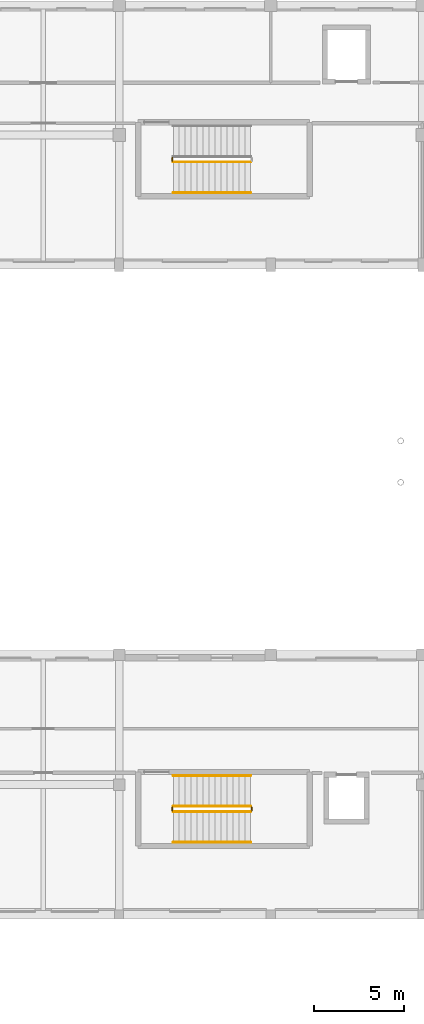
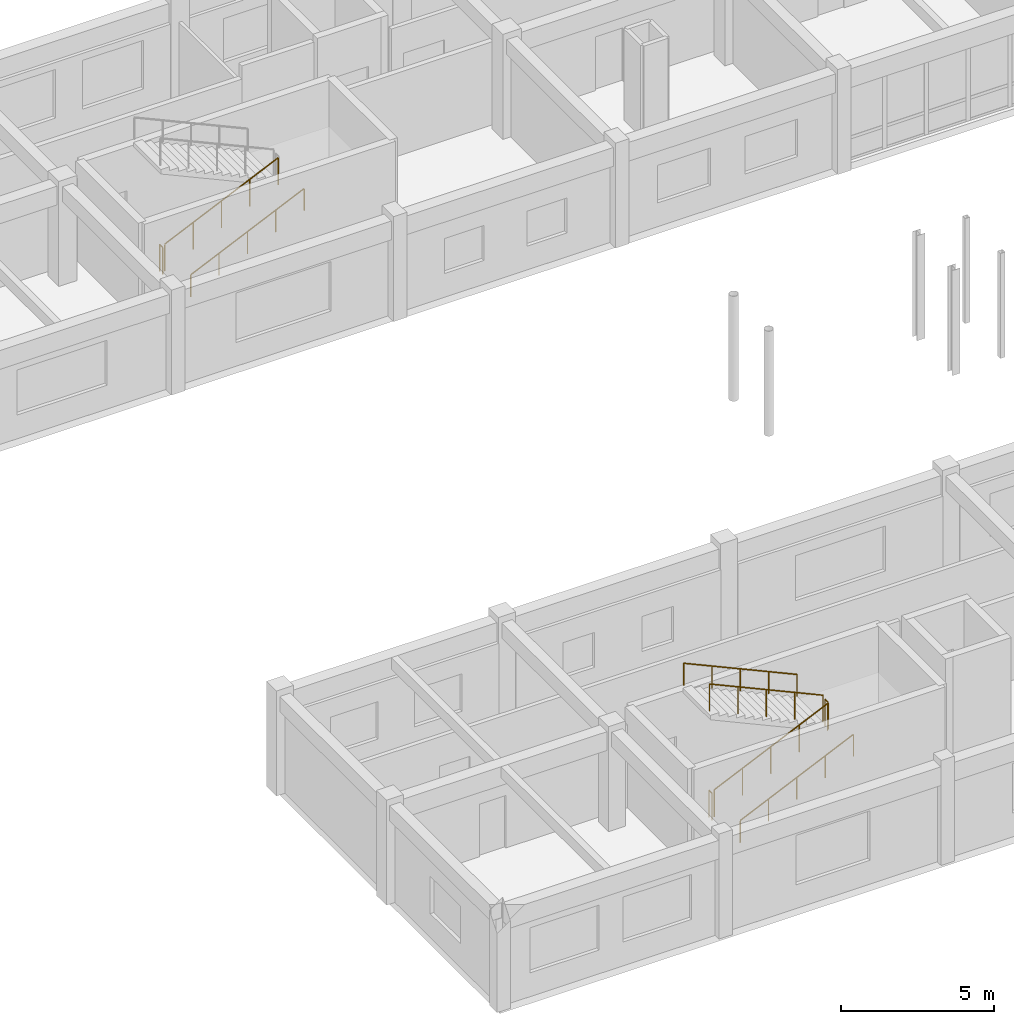
# One storey, part 86 of 90: 9 railings.
"""IFC4 building model written with IfcOpenShell, lengths in metres."""

from ifc_helpers import new_model, si_unit, direction, frame, origin, origin_2d, place, context, subcontext, project, spatial, circle, extrude, material, layer, layer_set, type_object, element, save


model = new_model("IFC4")

# Units and contexts
model_context = context("Model", 3, precision=1e-05, world=origin(), true_north=direction((0.0, 1.0)))
body_context = subcontext(model_context, "Body", "Model", "MODEL_VIEW")
ifc_project = project(units=[si_unit("LENGTHUNIT", "METRE"), si_unit("AREAUNIT", "SQUARE_METRE"), si_unit("VOLUMEUNIT", "CUBIC_METRE"), si_unit("PLANEANGLEUNIT", "RADIAN"), si_unit("MASSUNIT", "GRAM", prefix="KILO")], contexts=[model_context])

# Site, building, storey
site_placement = place(None, origin())
site = spatial("IfcSite", under=ifc_project, at=site_placement, CompositionType="ELEMENT")
building_placement = place(site_placement, origin())
building = spatial("IfcBuilding", under=site, at=building_placement, Name="Malvenik Polytechnic", CompositionType="ELEMENT")
storey_placement = place(building_placement, frame((0.0, 0.0, 9.300048828125)))
storey = spatial("IfcBuildingStorey", under=building, at=storey_placement, Name="L02", CompositionType="ELEMENT", Elevation=9.300048828125)

# Railings
ifc_material_1 = material(Name="Painted galvanised steel stair well balustrade 1100mm", Category="steel")
ifc_layer_1 = layer(ifc_material_1, 0.050048828125)
ifc_layer_set_1 = layer_set([ifc_layer_1], Name="Painted galvanised steel stair well balustrade 1100mm")
railing_type_1 = type_object("IfcRailingType", Name="ARC-RL-STGD", PredefinedType="BALUSTRADE", material=ifc_layer_set_1)
railing_1_placement = place(storey_placement, frame((11.39990234375, 120.89990234375, 0.14990234375)))
element("IfcRailing", 1, at=railing_1_placement, inside=storey, type_object=railing_type_1, Name="L02 ST-01 stair guard 1", PredefinedType="BALUSTRADE", context=body_context, shape_type="SweptSolid", body=[
    extrude(circle(Radius=0.02392578125, at=origin_2d()), frame((0.0, 0.0, 1.076171875), z_axis=(0.910371800137, 0.0, 0.413791234219), x_axis=(0.0, 1.0, 0.0)), (0.0, 0.0, 1.0), 4.71240234375),
    extrude(circle(Radius=0.02099609375, at=origin_2d()), origin(), (0.0, 0.0, 1.0), 1.052001953125),
    extrude(circle(Radius=0.02099609375, at=origin_2d()), frame((1.072509765625, 0.0, 0.487548828125)), (0.0, 0.0, 1.0), 1.052001953125),
    extrude(circle(Radius=0.02099609375, at=origin_2d()), frame((2.14501953125, 0.0, 0.97509765625)), (0.0, 0.0, 1.0), 1.052001953125),
    extrude(circle(Radius=0.02099609375, at=origin_2d()), frame((3.217529296875, 0.0, 1.46240234375)), (0.0, 0.0, 1.0), 1.052001953125),
    extrude(circle(Radius=0.02099609375, at=origin_2d()), frame((4.2900390625, 0.0, 1.949951171875)), (0.0, 0.0, 1.0), 1.052001953125),
])
railing_2_placement = place(storey_placement, frame((11.35009765625, 120.949951171875, 0.0)))
element("IfcRailing", 2, at=railing_2_placement, inside=storey, type_object=railing_type_1, Name="L02 ST-01 stair guard 4", PredefinedType="BALUSTRADE", context=body_context, shape_type="SweptSolid", body=[
    extrude(circle(Radius=0.02392578125, at=origin_2d()), frame((0.0, 0.0, 1.076171875), z_axis=(0.0, 1.0, 0.0), x_axis=(-1.0, 0.0, 0.0)), (0.0, 0.0, 1.0), 0.199951171875),
    extrude(circle(Radius=0.02099609375, at=origin_2d()), origin(), (0.0, 0.0, 1.0), 1.052001953125),
    extrude(circle(Radius=0.02099609375, at=origin_2d()), frame((0.0, 0.199951171875, 0.0)), (0.0, 0.0, 1.0), 1.052001953125),
])
railing_3_placement = place(storey_placement, frame((11.39990234375, 84.89990234375, 0.14990234375)))
element("IfcRailing", 3, at=railing_3_placement, inside=storey, type_object=railing_type_1, Name="L02 ST-04 stair guard 1", PredefinedType="BALUSTRADE", context=body_context, shape_type="SweptSolid", body=[
    extrude(circle(Radius=0.02392578125, at=origin_2d()), frame((0.0, 0.0, 1.076171875), z_axis=(0.910371800137, 0.0, 0.413791234219), x_axis=(0.0, 1.0, 0.0)), (0.0, 0.0, 1.0), 4.71240234375),
    extrude(circle(Radius=0.02099609375, at=origin_2d()), origin(), (0.0, 0.0, 1.0), 1.052001953125),
    extrude(circle(Radius=0.02099609375, at=origin_2d()), frame((1.072509765625, 0.0, 0.487548828125)), (0.0, 0.0, 1.0), 1.052001953125),
    extrude(circle(Radius=0.02099609375, at=origin_2d()), frame((2.14501953125, 0.0, 0.97509765625)), (0.0, 0.0, 1.0), 1.052001953125),
    extrude(circle(Radius=0.02099609375, at=origin_2d()), frame((3.217529296875, 0.0, 1.46240234375)), (0.0, 0.0, 1.0), 1.052001953125),
    extrude(circle(Radius=0.02099609375, at=origin_2d()), frame((4.2900390625, 0.0, 1.949951171875)), (0.0, 0.0, 1.0), 1.052001953125),
])
railing_4_placement = place(storey_placement, frame((15.739990234375, 84.949951171875, 2.099853515625)))
element("IfcRailing", 4, at=railing_4_placement, inside=storey, type_object=railing_type_1, Name="L02 ST-04 stair guard 2", PredefinedType="BALUSTRADE", context=body_context, shape_type="SweptSolid", body=[
    extrude(circle(Radius=0.02392578125, at=origin_2d()), frame((0.0, 0.0, 1.076171875), z_axis=(0.0, 1.0, 0.0), x_axis=(-1.0, 0.0, 0.0)), (0.0, 0.0, 1.0), 0.199951171875),
    extrude(circle(Radius=0.02099609375, at=origin_2d()), origin(), (0.0, 0.0, 1.0), 1.052001953125),
    extrude(circle(Radius=0.02099609375, at=origin_2d()), frame((0.0, 0.199951171875, 0.0)), (0.0, 0.0, 1.0), 1.052001953125),
])
railing_5_placement = place(storey_placement, frame((15.68994140625, 85.199951171875, 2.25)))
element("IfcRailing", 5, at=railing_5_placement, inside=storey, type_object=railing_type_1, Name="L02 ST-04 stair guard 3", PredefinedType="BALUSTRADE", context=body_context, shape_type="SweptSolid", body=[
    extrude(circle(Radius=0.02392578125, at=origin_2d()), frame((0.0, 0.0, 1.076171875), z_axis=(-0.910371800137, 0.0, 0.413791234219), x_axis=(0.0, -1.0, 0.0)), (0.0, 0.0, 1.0), 4.71240234375),
    extrude(circle(Radius=0.02099609375, at=origin_2d()), origin(), (0.0, 0.0, 1.0), 1.052001953125),
    extrude(circle(Radius=0.02099609375, at=origin_2d()), frame((-1.072509765625, 0.0, 0.487548828125)), (0.0, 0.0, 1.0), 1.052001953125),
    extrude(circle(Radius=0.02099609375, at=origin_2d()), frame((-2.14501953125, 0.0, 0.97509765625)), (0.0, 0.0, 1.0), 1.052001953125),
    extrude(circle(Radius=0.02099609375, at=origin_2d()), frame((-3.217529296875, 0.0, 1.46240234375)), (0.0, 0.0, 1.0), 1.052001953125),
    extrude(circle(Radius=0.02099609375, at=origin_2d()), frame((-4.2900390625, 0.0, 1.949951171875)), (0.0, 0.0, 1.0), 1.052001953125),
])
railing_6_placement = place(storey_placement, frame((11.35009765625, 84.949951171875, 0.0)))
element("IfcRailing", 6, at=railing_6_placement, inside=storey, type_object=railing_type_1, Name="L02 ST-04 stair guard 4", PredefinedType="BALUSTRADE", context=body_context, shape_type="SweptSolid", body=[
    extrude(circle(Radius=0.02392578125, at=origin_2d()), frame((0.0, 0.0, 1.076171875), z_axis=(0.0, 1.0, 0.0), x_axis=(-1.0, 0.0, 0.0)), (0.0, 0.0, 1.0), 0.199951171875),
    extrude(circle(Radius=0.02099609375, at=origin_2d()), origin(), (0.0, 0.0, 1.0), 1.052001953125),
    extrude(circle(Radius=0.02099609375, at=origin_2d()), frame((0.0, 0.199951171875, 0.0)), (0.0, 0.0, 1.0), 1.052001953125),
])
ifc_material_2 = material(Name="Brushed stainless steel 1.4301 stair wall handrail", Category="steel")
ifc_layer_2 = layer(ifc_material_2, 0.044921875)
ifc_layer_set_2 = layer_set([ifc_layer_2], Name="Brushed stainless steel 1.4301 stair wall handrail")
railing_type_2 = type_object("IfcRailingType", Name="ARC-RL-STHR", PredefinedType="HANDRAIL", material=ifc_layer_set_2)
for number, where, name in (
    (7, (11.39990234375, 119.199951171875, 0.14990234375), "L02 ST-01 stair handrail 1"),
    (8, (11.39990234375, 83.199951171875, 0.14990234375), "L02 ST-04 stair handrail 1"),
):
    element("IfcRailing", number, at=place(storey_placement, frame(where)), inside=storey, type_object=railing_type_2, Name=name, PredefinedType="HANDRAIL", context=body_context, shape_type="SweptSolid", body=[
        extrude(circle(Radius=0.02392578125, at=origin_2d()), frame((0.0, 0.0, 0.8759765625), z_axis=(0.910371800137, 0.0, 0.413791234219), x_axis=(0.0, 1.0, 0.0)), (0.0, 0.0, 1.0), 4.71240234375),
        extrude(circle(Radius=0.02099609375, at=origin_2d()), origin(), (0.0, 0.0, 1.0), 0.851806640625),
        extrude(circle(Radius=0.02099609375, at=origin_2d()), frame((1.072509765625, 0.0, 0.487548828125)), (0.0, 0.0, 1.0), 0.851806640625),
        extrude(circle(Radius=0.02099609375, at=origin_2d()), frame((2.14501953125, 0.0, 0.97509765625)), (0.0, 0.0, 1.0), 0.851806640625),
        extrude(circle(Radius=0.02099609375, at=origin_2d()), frame((3.217529296875, 0.0, 1.46240234375)), (0.0, 0.0, 1.0), 0.851806640625),
        extrude(circle(Radius=0.02099609375, at=origin_2d()), frame((4.2900390625, 0.0, 1.949951171875)), (0.0, 0.0, 1.0), 0.851806640625),
    ])
railing_7_placement = place(storey_placement, frame((15.68994140625, 86.89990234375, 2.25)))
element("IfcRailing", 9, at=railing_7_placement, inside=storey, type_object=railing_type_2, Name="L02 ST-04 stair handrail 2", PredefinedType="HANDRAIL", context=body_context, shape_type="SweptSolid", body=[
    extrude(circle(Radius=0.02392578125, at=origin_2d()), frame((0.0, 0.0, 0.8759765625), z_axis=(-0.910371800137, 0.0, 0.413791234219), x_axis=(0.0, -1.0, 0.0)), (0.0, 0.0, 1.0), 4.71240234375),
    extrude(circle(Radius=0.02099609375, at=origin_2d()), origin(), (0.0, 0.0, 1.0), 0.851806640625),
    extrude(circle(Radius=0.02099609375, at=origin_2d()), frame((-1.072509765625, 0.0, 0.487548828125)), (0.0, 0.0, 1.0), 0.851806640625),
    extrude(circle(Radius=0.02099609375, at=origin_2d()), frame((-2.14501953125, 0.0, 0.97509765625)), (0.0, 0.0, 1.0), 0.851806640625),
    extrude(circle(Radius=0.02099609375, at=origin_2d()), frame((-3.217529296875, 0.0, 1.46240234375)), (0.0, 0.0, 1.0), 0.851806640625),
    extrude(circle(Radius=0.02099609375, at=origin_2d()), frame((-4.2900390625, 0.0, 1.949951171875)), (0.0, 0.0, 1.0), 0.851806640625),
])

save(model, "model.ifc")
